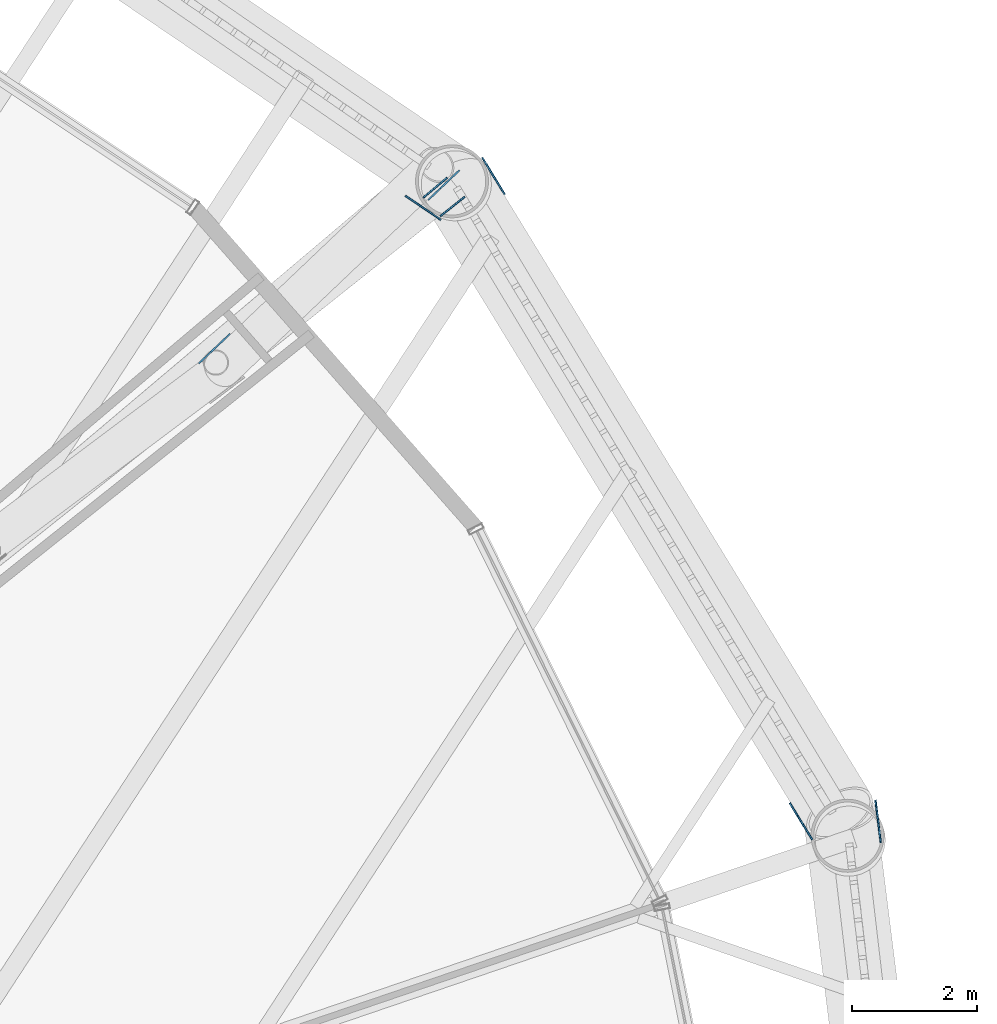
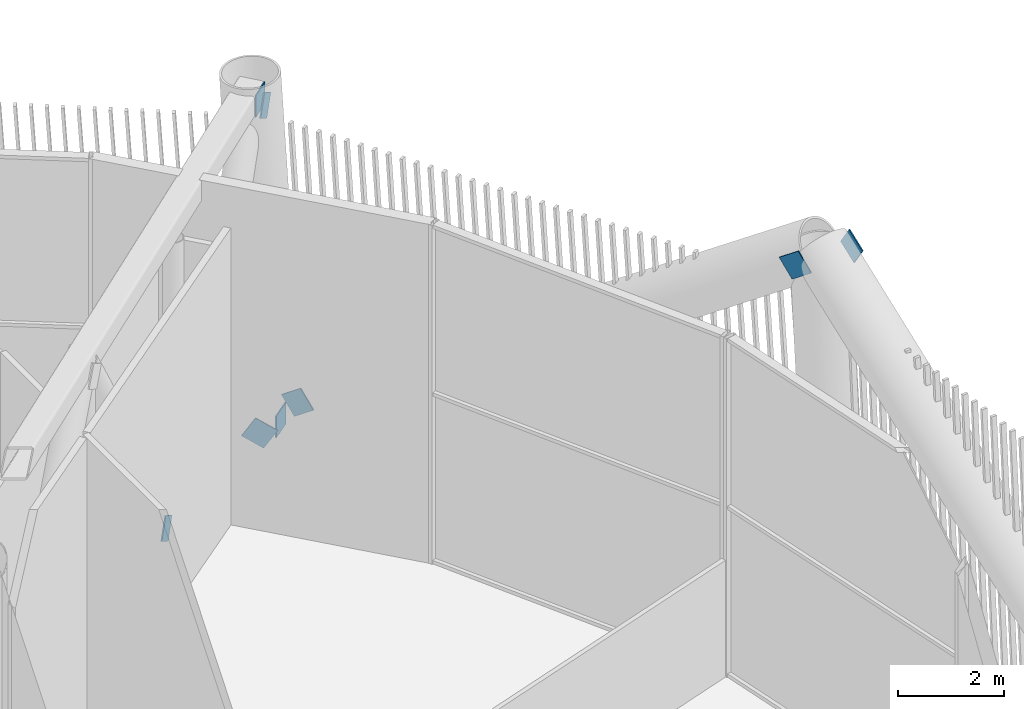
# One storey, part 50 of 63: 8 discrete accessories.
"""IFC4 building model written with IfcOpenShell, lengths in metres."""

from ifc_helpers import new_model, si_unit, direction, frame, origin, origin_2d, place, context, subcontext, project, spatial, rectangle, extrude, material, material_profile, profile_set, type_object, element, save


model = new_model("IFC4")

# Units and contexts
model_context = context("Model", 3, precision=1e-05, world=origin(), true_north=direction((0.0, 1.0)))
body_context = subcontext(model_context, "Body", "Model", "MODEL_VIEW")
ifc_project = project(units=[si_unit("LENGTHUNIT", "METRE"), si_unit("AREAUNIT", "SQUARE_METRE"), si_unit("VOLUMEUNIT", "CUBIC_METRE"), si_unit("PLANEANGLEUNIT", "RADIAN"), si_unit("MASSUNIT", "GRAM", prefix="KILO")], contexts=[model_context])

# Site, building, storey
site_placement = place(None, origin())
site = spatial("IfcSite", under=ifc_project, at=site_placement, CompositionType="ELEMENT")
building_placement = place(site_placement, origin())
building = spatial("IfcBuilding", under=site, at=building_placement, Name="Tarsis Ring Headquarters", CompositionType="ELEMENT")
storey_placement = place(building_placement, frame((0.0, 0.0, 139.60009765625)))
storey = spatial("IfcBuildingStorey", under=building, at=storey_placement, Name="L32", CompositionType="ELEMENT", Elevation=139.60009765625)

# Discrete accessories
ifc_material = material(Name="Structural steel S355", Category="steel")
ifc_material_profile = material_profile(ifc_material, rectangle(XDim=0.02490234375, YDim=0.5, at=origin_2d()), Name="PL 25x500")
ifc_profile_set = profile_set([ifc_material_profile], Name="Structural steel S355")
discrete_accessory_type_1 = type_object("IfcDiscreteAccessoryType", Name="Gusset plate Belt truss 25", PredefinedType="BRACKET", material=ifc_profile_set)
discrete_accessory_1_placement = place(storey_placement, frame((27.93359375, 9.88525390625, 8.0), z_axis=(0.104945632805, -0.839565062441, -0.533026190805), x_axis=(0.992277876714, 0.124034734589, 0.0)))
element("IfcDiscreteAccessory", 1, at=discrete_accessory_1_placement, inside=storey, type_object=discrete_accessory_type_1, Name="Gusset plate GP4", PredefinedType="BRACKET", context=body_context, shape_type="SweptSolid", body=[
    extrude(rectangle(XDim=0.02490234375, YDim=0.5, at=origin_2d()), origin(), (0.0, 0.0, 1.0), 0.500244140625),
])
for number, where, z_axis, x_axis, name in (
    (2, (21.6904296875, 20.18994140625, 0.0), (0.43212694874, -0.706051489127, 0.561032614804), (0.852931704499, 0.522022516239, 0.0), "Gusset plate GP4"),
    (3, (26.83251953125, 9.499755859375, 8.0), (-0.43212694874, 0.706051489127, -0.561032614804), (-0.852931704499, -0.522022516239, 0.0), "Gusset plate GP4"),
    (4, (20.84619140625, 19.385009765625, 0.0), (-0.699679924062, 0.475567512936, 0.533182468302), (-0.562136361236, -0.827044564323, 0.0), "Gusset plate GP4"),
):
    element("IfcDiscreteAccessory", number, at=place(storey_placement, frame(where, z_axis=z_axis, x_axis=x_axis)), inside=storey, type_object=discrete_accessory_type_1, Name=name, PredefinedType="BRACKET", context=body_context, shape_type="SweptSolid", body=[
        extrude(rectangle(XDim=0.02490234375, YDim=0.5, at=origin_2d()), origin(), (0.0, 0.0, 1.0), 0.5),
    ])
discrete_accessory_type_2 = type_object("IfcDiscreteAccessoryType", Name="Gusset plate Outrigger 25", PredefinedType="BRACKET", material=ifc_profile_set)
for number, where, z_axis, x_axis, name in (
    (5, (17.22900390625, 17.154052734375, 0.25390625), (0.393531794795, 0.374001680909, 0.839794897081), (-0.688891262539, 0.724864696614, 0.0), "Gusset plate GP1"),
    (6, (21.1015625, 19.9619140625, 7.5859375), (-0.39304719622, -0.374493415529, -0.839802704967), (0.689812357757, -0.723988198167, 0.0), "Gusset plate GP1"),
):
    element("IfcDiscreteAccessory", number, at=place(storey_placement, frame(where, z_axis=z_axis, x_axis=x_axis)), inside=storey, type_object=discrete_accessory_type_2, Name=name, PredefinedType="BRACKET", context=body_context, shape_type="SweptSolid", body=[
        extrude(rectangle(XDim=0.02490234375, YDim=0.5, at=origin_2d()), origin(), (0.0, 0.0, 1.0), 0.5),
    ])
discrete_accessory_type_3 = type_object("IfcDiscreteAccessoryType", Name="Gusset plate Outrigger chord 25", PredefinedType="BRACKET", material=ifc_profile_set)
discrete_accessory_2_placement = place(storey_placement, frame((21.337646484375, 19.6806640625, 0.25390625), z_axis=(-0.782390244532, -0.622788491593, 0.0), x_axis=(0.622788491593, -0.782390244532, 0.0)))
element("IfcDiscreteAccessory", 7, at=discrete_accessory_2_placement, inside=storey, type_object=discrete_accessory_type_3, Name="Gusset plate GP3", PredefinedType="BRACKET", context=body_context, shape_type="SweptSolid", body=[
    extrude(rectangle(XDim=0.02490234375, YDim=0.5, at=origin_2d()), origin(), (0.0, 0.0, 1.0), 0.500244140625),
])
discrete_accessory_3_placement = place(storey_placement, frame((21.054931640625, 19.98828125, 7.5859375), z_axis=(-0.763719582744, -0.645548138355, 0.0), x_axis=(0.645548138355, -0.763719582744, 0.0)))
element("IfcDiscreteAccessory", 8, at=discrete_accessory_3_placement, inside=storey, type_object=discrete_accessory_type_3, Name="Gusset plate GP3", PredefinedType="BRACKET", context=body_context, shape_type="SweptSolid", body=[
    extrude(rectangle(XDim=0.02490234375, YDim=0.5, at=origin_2d()), origin(), (0.0, 0.0, 1.0), 0.5),
])

save(model, "model.ifc")
